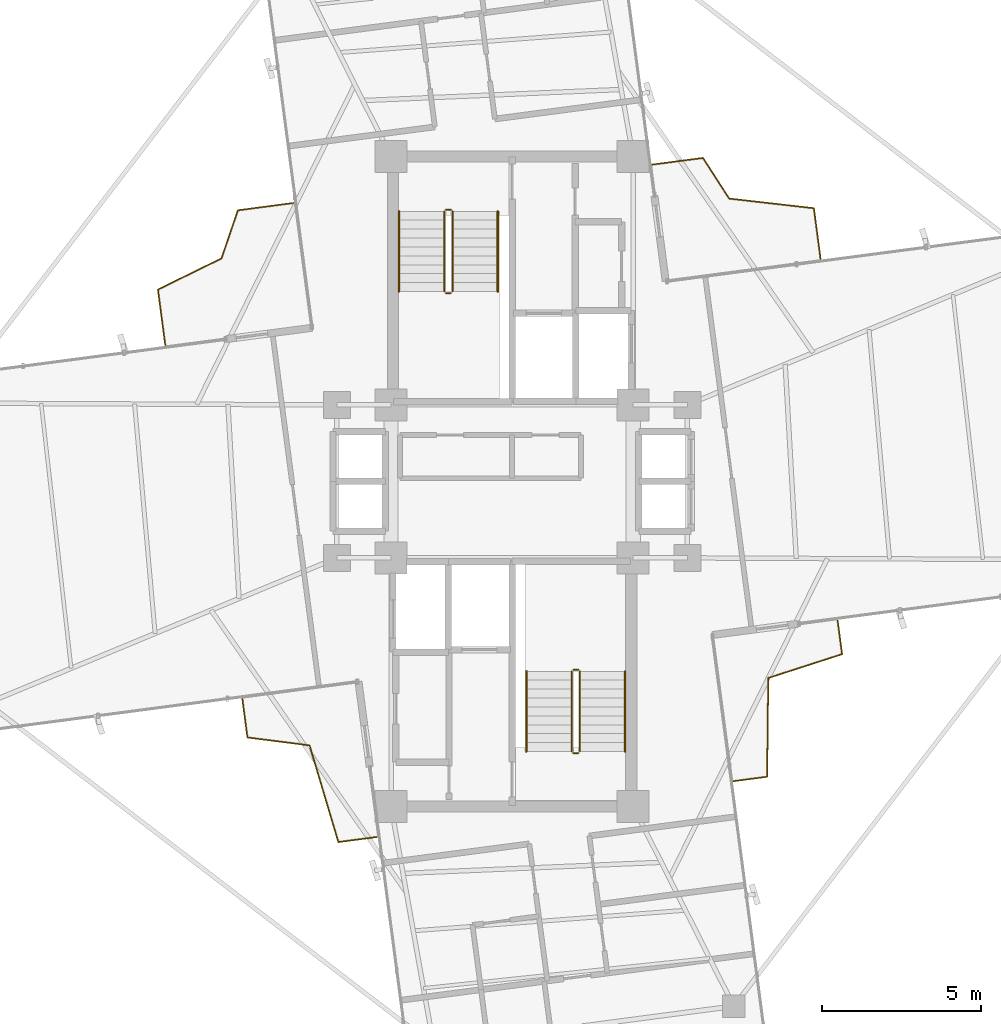
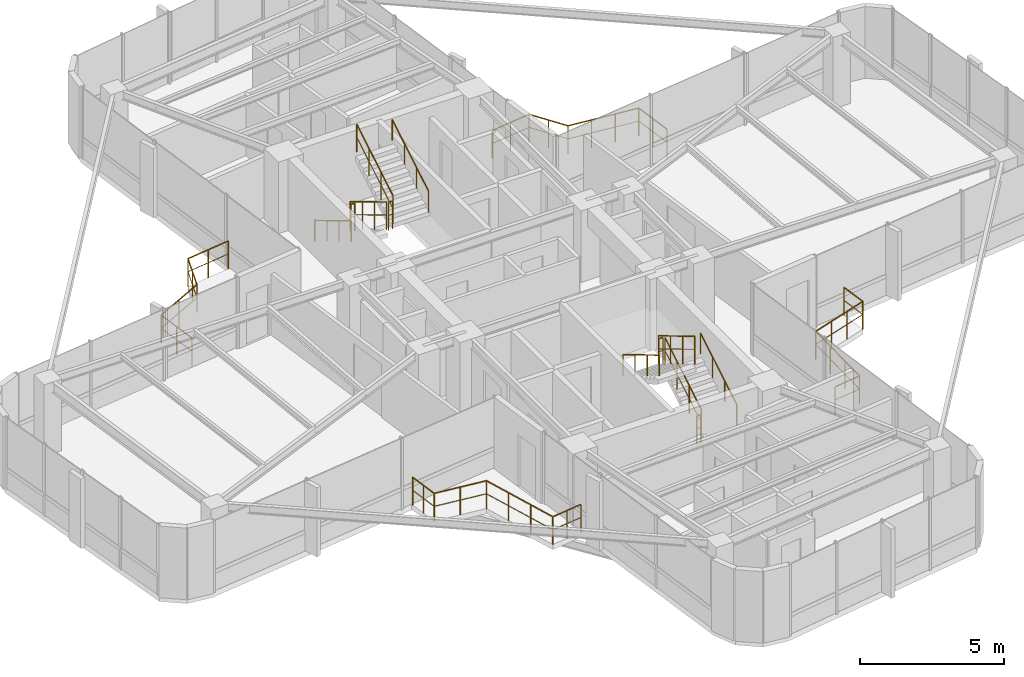
# One storey, part 22 of 22: 16 railings.
"""IFC4 building model written with IfcOpenShell, lengths in metres."""

from ifc_helpers import new_model, si_unit, direction, frame, origin, origin_2d, place, context, subcontext, project, spatial, circle, extrude, material, type_object, element, save


model = new_model("IFC4")

# Units and contexts
model_context = context("Model", 3, precision=1e-05, world=origin(), true_north=direction((0.0, 1.0)))
body_context = subcontext(model_context, "Body", "Model", "MODEL_VIEW")
ifc_project = project(units=[si_unit("LENGTHUNIT", "METRE"), si_unit("AREAUNIT", "SQUARE_METRE"), si_unit("VOLUMEUNIT", "CUBIC_METRE"), si_unit("PLANEANGLEUNIT", "RADIAN"), si_unit("MASSUNIT", "GRAM", prefix="KILO")], contexts=[model_context])

# Site, building, storey
site_placement = place(None, origin())
site = spatial("IfcSite", under=ifc_project, at=site_placement, CompositionType="ELEMENT")
building_placement = place(site_placement, origin())
building = spatial("IfcBuilding", under=site, at=building_placement, Name="Sahyath Konkavel Grand Hotel", CompositionType="ELEMENT")
storey_placement = place(building_placement, frame((0.0, 0.0, 261.25)))
storey = spatial("IfcBuildingStorey", under=building, at=storey_placement, Name="L73", CompositionType="ELEMENT", Elevation=261.25)

# Railings
ifc_material_1 = material(Name="Anodised Bronze Aluminium", Category="aluminium")
railing_type_1 = type_object("IfcRailingType", Name="RLG-BALC-1200", PredefinedType="GUARDRAIL", material=ifc_material_1)
railing_1_placement = place(storey_placement, frame((9.684326171875, 6.98388671875, 0.0)))
element("IfcRailing", 1, at=railing_1_placement, inside=storey, type_object=railing_type_1, Name="L73 Winter-Garden Guard NE", PredefinedType="GUARDRAIL", context=body_context, shape_type="SweptSolid", body=[
    extrude(circle(Radius=0.02392578125, at=origin_2d()), frame((-0.000244140625, 0.001953125, 1.17578125), z_axis=(-0.130521331134, 0.991445501336, 0.0), x_axis=(-0.991445501336, -0.130521331134, 0.0)), (0.0, 0.0, 1.0), 1.602783203125),
    extrude(circle(Radius=0.01416015625, at=origin_2d()), frame((-0.000244140625, 0.001953125, 0.6240234375), z_axis=(-0.130521331134, 0.991445501336, 0.0), x_axis=(-0.991445501336, -0.130521331134, 0.0)), (0.0, 0.0, 1.0), 1.602783203125),
    extrude(circle(Radius=0.02392578125, at=origin_2d()), frame((-0.211669921875, 1.59326171875, 1.17578125), z_axis=(-0.993557041998, 0.113333156208, 0.0), x_axis=(-0.113333156208, -0.993557041998, 0.0)), (0.0, 0.0, 1.0), 2.673583984375),
    extrude(circle(Radius=0.01416015625, at=origin_2d()), frame((-0.211669921875, 1.59326171875, 0.6240234375), z_axis=(-0.993557041998, 0.113333156208, 0.0), x_axis=(-0.113333156208, -0.993557041998, 0.0)), (0.0, 0.0, 1.0), 2.673583984375),
    extrude(circle(Radius=0.02392578125, at=origin_2d()), frame((-2.87109375, 1.898193359375, 1.17578125), z_axis=(-0.541562384374, 0.84066056398, 0.0), x_axis=(-0.84066056398, -0.541562384374, 0.0)), (0.0, 0.0, 1.0), 1.513427734375),
    extrude(circle(Radius=0.01416015625, at=origin_2d()), frame((-2.87109375, 1.898193359375, 0.6240234375), z_axis=(-0.541562384374, 0.84066056398, 0.0), x_axis=(-0.84066056398, -0.541562384374, 0.0)), (0.0, 0.0, 1.0), 1.513427734375),
    extrude(circle(Radius=0.02392578125, at=origin_2d()), frame((-3.69384765625, 3.171875, 1.17578125), z_axis=(-0.991445501336, -0.130521331134, 0.0), x_axis=(0.130521331134, -0.991445501336, 0.0)), (0.0, 0.0, 1.0), 1.602783203125),
    extrude(circle(Radius=0.01416015625, at=origin_2d()), frame((-3.69384765625, 3.171875, 0.6240234375), z_axis=(-0.991445501336, -0.130521331134, 0.0), x_axis=(0.130521331134, -0.991445501336, 0.0)), (0.0, 0.0, 1.0), 1.602783203125),
    extrude(circle(Radius=0.02099609375, at=origin_2d()), origin(), (0.0, 0.0, 1.0), 1.15185546875),
    extrude(circle(Radius=0.02099609375, at=origin_2d()), frame((-0.10498046875, 0.79638671875, 0.0)), (0.0, 0.0, 1.0), 1.15185546875),
    extrude(circle(Radius=0.02099609375, at=origin_2d()), frame((-0.209716796875, 1.593017578125, 0.0)), (0.0, 0.0, 1.0), 1.15185546875),
    extrude(circle(Radius=0.02099609375, at=origin_2d()), frame((-1.096435546875, 1.694091796875, 0.0)), (0.0, 0.0, 1.0), 1.15185546875),
    extrude(circle(Radius=0.02099609375, at=origin_2d()), frame((-1.9833984375, 1.79541015625, 0.0)), (0.0, 0.0, 1.0), 1.15185546875),
    extrude(circle(Radius=0.02099609375, at=origin_2d()), frame((-2.8701171875, 1.896484375, 0.0)), (0.0, 0.0, 1.0), 1.15185546875),
    extrude(circle(Radius=0.02099609375, at=origin_2d()), frame((-3.281005859375, 2.5341796875, 0.0)), (0.0, 0.0, 1.0), 1.15185546875),
    extrude(circle(Radius=0.02099609375, at=origin_2d()), frame((-3.69189453125, 3.172119140625, 0.0)), (0.0, 0.0, 1.0), 1.15185546875),
    extrude(circle(Radius=0.02099609375, at=origin_2d()), frame((-4.48828125, 3.0673828125, 0.0)), (0.0, 0.0, 1.0), 1.15185546875),
    extrude(circle(Radius=0.02099609375, at=origin_2d()), frame((-5.284912109375, 2.96240234375, 0.0)), (0.0, 0.0, 1.0), 1.15185546875),
])
railing_2_placement = place(storey_placement, frame((-6.85986328125, 8.742431640625, 0.0)))
element("IfcRailing", 2, at=railing_2_placement, inside=storey, type_object=railing_type_1, Name="L73 Winter-Garden Guard NW", PredefinedType="GUARDRAIL", context=body_context, shape_type="SweptSolid", body=[
    extrude(circle(Radius=0.02392578125, at=origin_2d()), frame((-0.001953125, -0.000244140625, 1.17578125), z_axis=(-0.991438263737, -0.130576296467, 0.0), x_axis=(0.130576296467, -0.991438263737, 0.0)), (0.0, 0.0, 1.0), 1.759033203125),
    extrude(circle(Radius=0.01416015625, at=origin_2d()), frame((-0.001953125, -0.000244140625, 0.6240234375), z_axis=(-0.991438263737, -0.130576296467, 0.0), x_axis=(0.130576296467, -0.991438263737, 0.0)), (0.0, 0.0, 1.0), 1.759033203125),
    extrude(circle(Radius=0.02392578125, at=origin_2d()), frame((-1.748779296875, -0.232177734375, 1.17578125), z_axis=(-0.323053682556, -0.946380641279, 0.0), x_axis=(0.946380641279, -0.323053682556, 0.0)), (0.0, 0.0, 1.0), 1.5927734375),
    extrude(circle(Radius=0.01416015625, at=origin_2d()), frame((-1.748779296875, -0.232177734375, 0.6240234375), z_axis=(-0.323053682556, -0.946380641279, 0.0), x_axis=(0.946380641279, -0.323053682556, 0.0)), (0.0, 0.0, 1.0), 1.5927734375),
    extrude(circle(Radius=0.02392578125, at=origin_2d()), frame((-2.265625, -1.742431640625, 1.17578125), z_axis=(-0.897916464157, -0.4401659044, 0.0), x_axis=(0.4401659044, -0.897916464157, 0.0)), (0.0, 0.0, 1.0), 2.21728515625),
    extrude(circle(Radius=0.01416015625, at=origin_2d()), frame((-2.265625, -1.742431640625, 0.6240234375), z_axis=(-0.897916464157, -0.4401659044, 0.0), x_axis=(0.4401659044, -0.897916464157, 0.0)), (0.0, 0.0, 1.0), 2.21728515625),
    extrude(circle(Radius=0.02392578125, at=origin_2d()), frame((-4.25830078125, -2.72119140625, 1.17578125), z_axis=(0.130594224877, -0.99143590233, 0.0), x_axis=(0.99143590233, 0.130594224877, 0.0)), (0.0, 0.0, 1.0), 1.7587890625),
    extrude(circle(Radius=0.01416015625, at=origin_2d()), frame((-4.25830078125, -2.72119140625, 0.6240234375), z_axis=(0.130594224877, -0.99143590233, 0.0), x_axis=(0.99143590233, 0.130594224877, 0.0)), (0.0, 0.0, 1.0), 1.7587890625),
    extrude(circle(Radius=0.02099609375, at=origin_2d()), origin(), (0.0, 0.0, 1.0), 1.15185546875),
    extrude(circle(Radius=0.02099609375, at=origin_2d()), frame((-0.8740234375, -0.115234375, 0.0)), (0.0, 0.0, 1.0), 1.15185546875),
    extrude(circle(Radius=0.02099609375, at=origin_2d()), frame((-1.748046875, -0.230224609375, 0.0)), (0.0, 0.0, 1.0), 1.15185546875),
    extrude(circle(Radius=0.02099609375, at=origin_2d()), frame((-2.005859375, -0.98583984375, 0.0)), (0.0, 0.0, 1.0), 1.15185546875),
    extrude(circle(Radius=0.02099609375, at=origin_2d()), frame((-2.263916015625, -1.741455078125, 0.0)), (0.0, 0.0, 1.0), 1.15185546875),
    extrude(circle(Radius=0.02099609375, at=origin_2d()), frame((-3.26123046875, -2.23046875, 0.0)), (0.0, 0.0, 1.0), 1.15185546875),
    extrude(circle(Radius=0.02099609375, at=origin_2d()), frame((-4.258544921875, -2.71923828125, 0.0)), (0.0, 0.0, 1.0), 1.15185546875),
    extrude(circle(Radius=0.02099609375, at=origin_2d()), frame((-4.1435546875, -3.59326171875, 0.0)), (0.0, 0.0, 1.0), 1.15185546875),
    extrude(circle(Radius=0.02099609375, at=origin_2d()), frame((-4.0283203125, -4.467041015625, 0.0)), (0.0, 0.0, 1.0), 1.15185546875),
])
railing_3_placement = place(storey_placement, frame((-8.46875, -6.82373046875, 0.0)))
element("IfcRailing", 3, at=railing_3_placement, inside=storey, type_object=railing_type_1, Name="L73 Winter-Garden Guard SW", PredefinedType="GUARDRAIL", context=body_context, shape_type="SweptSolid", body=[
    extrude(circle(Radius=0.02392578125, at=origin_2d()), frame((0.000244140625, -0.001953125, 1.17578125), z_axis=(0.130506053195, -0.991447512519, 0.0), x_axis=(0.991447512519, 0.130506053195, 0.0)), (0.0, 0.0, 1.0), 1.221435546875),
    extrude(circle(Radius=0.01416015625, at=origin_2d()), frame((0.000244140625, -0.001953125, 0.6240234375), z_axis=(0.130506053195, -0.991447512519, 0.0), x_axis=(0.991447512519, 0.130506053195, 0.0)), (0.0, 0.0, 1.0), 1.221435546875),
    extrude(circle(Radius=0.02392578125, at=origin_2d()), frame((0.161865234375, -1.215087890625, 1.17578125), z_axis=(0.992060549344, -0.125761148353, 0.0), x_axis=(0.125761148353, 0.992060549344, 0.0)), (0.0, 0.0, 1.0), 1.962646484375),
    extrude(circle(Radius=0.01416015625, at=origin_2d()), frame((0.161865234375, -1.215087890625, 0.6240234375), z_axis=(0.992060549344, -0.125761148353, 0.0), x_axis=(0.125761148353, 0.992060549344, 0.0)), (0.0, 0.0, 1.0), 1.962646484375),
    extrude(circle(Radius=0.02392578125, at=origin_2d()), frame((2.111328125, -1.464111328125, 1.17578125), z_axis=(0.285331983431, -0.958428744994, 0.0), x_axis=(0.958428744994, 0.285331983431, 0.0)), (0.0, 0.0, 1.0), 3.16357421875),
    extrude(circle(Radius=0.01416015625, at=origin_2d()), frame((2.111328125, -1.464111328125, 0.6240234375), z_axis=(0.285331983431, -0.958428744994, 0.0), x_axis=(0.958428744994, 0.285331983431, 0.0)), (0.0, 0.0, 1.0), 3.16357421875),
    extrude(circle(Radius=0.02392578125, at=origin_2d()), frame((3.0166015625, -4.497802734375, 1.17578125), z_axis=(0.991447512519, 0.130506053195, 0.0), x_axis=(-0.130506053195, 0.991447512519, 0.0)), (0.0, 0.0, 1.0), 1.221435546875),
    extrude(circle(Radius=0.01416015625, at=origin_2d()), frame((3.0166015625, -4.497802734375, 0.6240234375), z_axis=(0.991447512519, 0.130506053195, 0.0), x_axis=(-0.130506053195, 0.991447512519, 0.0)), (0.0, 0.0, 1.0), 1.221435546875),
    extrude(circle(Radius=0.02099609375, at=origin_2d()), origin(), (0.0, 0.0, 1.0), 1.15185546875),
    extrude(circle(Radius=0.02099609375, at=origin_2d()), frame((0.080078125, -0.607421875, 0.0)), (0.0, 0.0, 1.0), 1.15185546875),
    extrude(circle(Radius=0.02099609375, at=origin_2d()), frame((0.159912109375, -1.21484375, 0.0)), (0.0, 0.0, 1.0), 1.15185546875),
    extrude(circle(Radius=0.02099609375, at=origin_2d()), frame((1.13525390625, -1.33837890625, 0.0)), (0.0, 0.0, 1.0), 1.15185546875),
    extrude(circle(Radius=0.02099609375, at=origin_2d()), frame((2.11083984375, -1.462158203125, 0.0)), (0.0, 0.0, 1.0), 1.15185546875),
    extrude(circle(Radius=0.02099609375, at=origin_2d()), frame((2.412109375, -2.47412109375, 0.0)), (0.0, 0.0, 1.0), 1.15185546875),
    extrude(circle(Radius=0.02099609375, at=origin_2d()), frame((2.71337890625, -3.486083984375, 0.0)), (0.0, 0.0, 1.0), 1.15185546875),
    extrude(circle(Radius=0.02099609375, at=origin_2d()), frame((3.0146484375, -4.498046875, 0.0)), (0.0, 0.0, 1.0), 1.15185546875),
    extrude(circle(Radius=0.02099609375, at=origin_2d()), frame((3.6220703125, -4.41796875, 0.0)), (0.0, 0.0, 1.0), 1.15185546875),
    extrude(circle(Radius=0.02099609375, at=origin_2d()), frame((4.2294921875, -4.338134765625, 0.0)), (0.0, 0.0, 1.0), 1.15185546875),
])
railing_4_placement = place(storey_placement, frame((6.94775390625, -9.41064453125, 0.0)))
element("IfcRailing", 4, at=railing_4_placement, inside=storey, type_object=railing_type_1, Name="L73 Winter-Garden Guard SE", PredefinedType="GUARDRAIL", context=body_context, shape_type="SweptSolid", body=[
    extrude(circle(Radius=0.02392578125, at=origin_2d()), frame((0.001953125, 0.000244140625, 1.17578125), z_axis=(0.991430180557, 0.130637655674, 0.0), x_axis=(-0.130637655674, 0.991430180557, 0.0)), (0.0, 0.0, 1.0), 1.06494140625),
    extrude(circle(Radius=0.01416015625, at=origin_2d()), frame((0.001953125, 0.000244140625, 0.6240234375), z_axis=(0.991430180557, 0.130637655674, 0.0), x_axis=(-0.130637655674, 0.991430180557, 0.0)), (0.0, 0.0, 1.0), 1.06494140625),
    extrude(circle(Radius=0.02392578125, at=origin_2d()), frame((1.059814453125, 0.1416015625, 1.17578125), z_axis=(0.011183044847, 0.999937467799, 0.0), x_axis=(-0.999937467799, 0.011183044847, 0.0)), (0.0, 0.0, 1.0), 3.095947265625),
    extrude(circle(Radius=0.01416015625, at=origin_2d()), frame((1.059814453125, 0.1416015625, 0.6240234375), z_axis=(0.011183044847, 0.999937467799, 0.0), x_axis=(-0.999937467799, 0.011183044847, 0.0)), (0.0, 0.0, 1.0), 3.095947265625),
    extrude(circle(Radius=0.02392578125, at=origin_2d()), frame((1.096435546875, 3.240234375, 1.17578125), z_axis=(0.951648123268, 0.307190249652, 0.0), x_axis=(-0.307190249652, 0.951648123268, 0.0)), (0.0, 0.0, 1.0), 2.43115234375),
    extrude(circle(Radius=0.01416015625, at=origin_2d()), frame((1.096435546875, 3.240234375, 0.6240234375), z_axis=(0.951648123268, 0.307190249652, 0.0), x_axis=(-0.307190249652, 0.951648123268, 0.0)), (0.0, 0.0, 1.0), 2.43115234375),
    extrude(circle(Radius=0.02392578125, at=origin_2d()), frame((3.41162109375, 3.989501953125, 1.17578125), z_axis=(-0.130637655674, 0.991430180557, 0.0), x_axis=(-0.991430180557, -0.130637655674, 0.0)), (0.0, 0.0, 1.0), 1.06494140625),
    extrude(circle(Radius=0.01416015625, at=origin_2d()), frame((3.41162109375, 3.989501953125, 0.6240234375), z_axis=(-0.130637655674, 0.991430180557, 0.0), x_axis=(-0.991430180557, -0.130637655674, 0.0)), (0.0, 0.0, 1.0), 1.06494140625),
    extrude(circle(Radius=0.02099609375, at=origin_2d()), origin(), (0.0, 0.0, 1.0), 1.15185546875),
    extrude(circle(Radius=0.02099609375, at=origin_2d()), frame((1.059814453125, 0.1396484375, 0.0)), (0.0, 0.0, 1.0), 1.15185546875),
    extrude(circle(Radius=0.02099609375, at=origin_2d()), frame((1.0712890625, 1.1728515625, 0.0)), (0.0, 0.0, 1.0), 1.15185546875),
    extrude(circle(Radius=0.02099609375, at=origin_2d()), frame((1.0830078125, 2.206298828125, 0.0)), (0.0, 0.0, 1.0), 1.15185546875),
    extrude(circle(Radius=0.02099609375, at=origin_2d()), frame((1.094482421875, 3.239501953125, 0.0)), (0.0, 0.0, 1.0), 1.15185546875),
    extrude(circle(Radius=0.02099609375, at=origin_2d()), frame((1.866943359375, 3.48876953125, 0.0)), (0.0, 0.0, 1.0), 1.15185546875),
    extrude(circle(Radius=0.02099609375, at=origin_2d()), frame((2.639404296875, 3.73828125, 0.0)), (0.0, 0.0, 1.0), 1.15185546875),
    extrude(circle(Radius=0.02099609375, at=origin_2d()), frame((3.411865234375, 3.987548828125, 0.0)), (0.0, 0.0, 1.0), 1.15185546875),
    extrude(circle(Radius=0.02099609375, at=origin_2d()), frame((3.272216796875, 5.04736328125, 0.0)), (0.0, 0.0, 1.0), 1.15185546875),
])
ifc_material_2 = material(Name="Steel E350", Category="steel")
railing_type_2 = type_object("IfcRailingType", Name="RLG-STAIR-GRD", PredefinedType="GUARDRAIL", material=ifc_material_2)
railing_5_placement = place(storey_placement, frame((-2.1298828125, 8.47998046875, 0.16748046875)))
element("IfcRailing", 5, at=railing_5_placement, inside=storey, type_object=railing_type_2, Name="L73 ST-1 stair guard 1", PredefinedType="GUARDRAIL", context=body_context, shape_type="SweptSolid", body=[
    extrude(circle(Radius=0.02392578125, at=origin_2d()), frame((0.0, -0.001708984375, 1.177001953125), z_axis=(0.0, -0.858159760407, 0.513382728203), x_axis=(1.0, 0.0, 0.0)), (0.0, 0.0, 1.0), 2.9326171875),
    extrude(circle(Radius=0.01416015625, at=origin_2d()), frame((0.0, -0.001708984375, 0.625), z_axis=(0.0, -0.858159760407, 0.513382728203), x_axis=(1.0, 0.0, 0.0)), (0.0, 0.0, 1.0), 2.9326171875),
    extrude(circle(Radius=0.02099609375, at=origin_2d()), origin(), (0.0, 0.0, 1.0), 1.15185546875),
    extrude(circle(Radius=0.02099609375, at=origin_2d()), frame((0.0, -0.840087890625, 0.50244140625)), (0.0, 0.0, 1.0), 1.15185546875),
    extrude(circle(Radius=0.02099609375, at=origin_2d()), frame((0.0, -1.679931640625, 1.005126953125)), (0.0, 0.0, 1.0), 1.15185546875),
    extrude(circle(Radius=0.02099609375, at=origin_2d()), frame((0.0, -2.52001953125, 1.507568359375)), (0.0, 0.0, 1.0), 1.15185546875),
])
railing_6_placement = place(storey_placement, frame((-2.080078125, 5.909912109375, 1.675048828125)))
element("IfcRailing", 6, at=railing_6_placement, inside=storey, type_object=railing_type_2, Name="L73 ST-1 stair guard 2", PredefinedType="GUARDRAIL", context=body_context, shape_type="SweptSolid", body=[
    extrude(circle(Radius=0.02392578125, at=origin_2d()), frame((0.001953125, 0.0, 1.17578125), z_axis=(1.0, 0.0, 0.0), x_axis=(0.0, 1.0, 0.0)), (0.0, 0.0, 1.0), 0.15625),
    extrude(circle(Radius=0.01416015625, at=origin_2d()), frame((0.001953125, 0.0, 0.6240234375), z_axis=(1.0, 0.0, 0.0), x_axis=(0.0, 1.0, 0.0)), (0.0, 0.0, 1.0), 0.15625),
    extrude(circle(Radius=0.02099609375, at=origin_2d()), origin(), (0.0, 0.0, 1.0), 1.15185546875),
    extrude(circle(Radius=0.02099609375, at=origin_2d()), frame((0.16015625, 0.0, 0.0)), (0.0, 0.0, 1.0), 1.15185546875),
])
railing_7_placement = place(storey_placement, frame((-1.8701171875, 5.9599609375, 1.842529296875)))
element("IfcRailing", 7, at=railing_7_placement, inside=storey, type_object=railing_type_2, Name="L73 ST-1 stair guard 3", PredefinedType="GUARDRAIL", context=body_context, shape_type="SweptSolid", body=[
    extrude(circle(Radius=0.02392578125, at=origin_2d()), frame((0.0, 0.001708984375, 1.177001953125), z_axis=(0.0, 0.858159760407, 0.513382728203), x_axis=(-1.0, 0.0, 0.0)), (0.0, 0.0, 1.0), 2.9326171875),
    extrude(circle(Radius=0.01416015625, at=origin_2d()), frame((0.0, 0.001708984375, 0.625), z_axis=(0.0, 0.858159760407, 0.513382728203), x_axis=(-1.0, 0.0, 0.0)), (0.0, 0.0, 1.0), 2.9326171875),
    extrude(circle(Radius=0.02099609375, at=origin_2d()), origin(), (0.0, 0.0, 1.0), 1.15185546875),
    extrude(circle(Radius=0.02099609375, at=origin_2d()), frame((0.0, 0.840087890625, 0.50244140625)), (0.0, 0.0, 1.0), 1.15185546875),
    extrude(circle(Radius=0.02099609375, at=origin_2d()), frame((0.0, 1.679931640625, 1.005126953125)), (0.0, 0.0, 1.0), 1.15185546875),
    extrude(circle(Radius=0.02099609375, at=origin_2d()), frame((0.0, 2.52001953125, 1.507568359375)), (0.0, 0.0, 1.0), 1.15185546875),
])
railing_8_placement = place(storey_placement, frame((-2.080078125, 8.530029296875, 0.0)))
element("IfcRailing", 8, at=railing_8_placement, inside=storey, type_object=railing_type_2, Name="L73 ST-1 stair guard 4", PredefinedType="GUARDRAIL", context=body_context, shape_type="SweptSolid", body=[
    extrude(circle(Radius=0.02392578125, at=origin_2d()), frame((0.001953125, 0.0, 1.17578125), z_axis=(1.0, 0.0, 0.0), x_axis=(0.0, 1.0, 0.0)), (0.0, 0.0, 1.0), 0.15625),
    extrude(circle(Radius=0.01416015625, at=origin_2d()), frame((0.001953125, 0.0, 0.6240234375), z_axis=(1.0, 0.0, 0.0), x_axis=(0.0, 1.0, 0.0)), (0.0, 0.0, 1.0), 0.15625),
    extrude(circle(Radius=0.02099609375, at=origin_2d()), origin(), (0.0, 0.0, 1.0), 1.15185546875),
    extrude(circle(Radius=0.02099609375, at=origin_2d()), frame((0.16015625, 0.0, 0.0)), (0.0, 0.0, 1.0), 1.15185546875),
])
railing_9_placement = place(storey_placement, frame((2.1298828125, -8.47998046875, 0.16748046875)))
element("IfcRailing", 9, at=railing_9_placement, inside=storey, type_object=railing_type_2, Name="L73 ST-2 stair guard 1", PredefinedType="GUARDRAIL", context=body_context, shape_type="SweptSolid", body=[
    extrude(circle(Radius=0.02392578125, at=origin_2d()), frame((0.0, 0.001708984375, 1.177001953125), z_axis=(0.0, 0.858159760407, 0.513382728203), x_axis=(-1.0, 0.0, 0.0)), (0.0, 0.0, 1.0), 2.9326171875),
    extrude(circle(Radius=0.01416015625, at=origin_2d()), frame((0.0, 0.001708984375, 0.625), z_axis=(0.0, 0.858159760407, 0.513382728203), x_axis=(-1.0, 0.0, 0.0)), (0.0, 0.0, 1.0), 2.9326171875),
    extrude(circle(Radius=0.02099609375, at=origin_2d()), origin(), (0.0, 0.0, 1.0), 1.15185546875),
    extrude(circle(Radius=0.02099609375, at=origin_2d()), frame((0.0, 0.840087890625, 0.50244140625)), (0.0, 0.0, 1.0), 1.15185546875),
    extrude(circle(Radius=0.02099609375, at=origin_2d()), frame((0.0, 1.679931640625, 1.005126953125)), (0.0, 0.0, 1.0), 1.15185546875),
    extrude(circle(Radius=0.02099609375, at=origin_2d()), frame((0.0, 2.52001953125, 1.507568359375)), (0.0, 0.0, 1.0), 1.15185546875),
])
railing_10_placement = place(storey_placement, frame((2.080078125, -5.909912109375, 1.675048828125)))
element("IfcRailing", 10, at=railing_10_placement, inside=storey, type_object=railing_type_2, Name="L73 ST-2 stair guard 2", PredefinedType="GUARDRAIL", context=body_context, shape_type="SweptSolid", body=[
    extrude(circle(Radius=0.02392578125, at=origin_2d()), frame((-0.001953125, 0.0, 1.17578125), z_axis=(-1.0, 0.0, 0.0), x_axis=(0.0, -1.0, 0.0)), (0.0, 0.0, 1.0), 0.15625),
    extrude(circle(Radius=0.01416015625, at=origin_2d()), frame((-0.001953125, 0.0, 0.6240234375), z_axis=(-1.0, 0.0, 0.0), x_axis=(0.0, -1.0, 0.0)), (0.0, 0.0, 1.0), 0.15625),
    extrude(circle(Radius=0.02099609375, at=origin_2d()), origin(), (0.0, 0.0, 1.0), 1.15185546875),
    extrude(circle(Radius=0.02099609375, at=origin_2d()), frame((-0.16015625, 0.0, 0.0)), (0.0, 0.0, 1.0), 1.15185546875),
])
railing_11_placement = place(storey_placement, frame((1.8701171875, -5.9599609375, 1.842529296875)))
element("IfcRailing", 11, at=railing_11_placement, inside=storey, type_object=railing_type_2, Name="L73 ST-2 stair guard 3", PredefinedType="GUARDRAIL", context=body_context, shape_type="SweptSolid", body=[
    extrude(circle(Radius=0.02392578125, at=origin_2d()), frame((0.0, -0.001708984375, 1.177001953125), z_axis=(0.0, -0.858159760407, 0.513382728203), x_axis=(1.0, 0.0, 0.0)), (0.0, 0.0, 1.0), 2.9326171875),
    extrude(circle(Radius=0.01416015625, at=origin_2d()), frame((0.0, -0.001708984375, 0.625), z_axis=(0.0, -0.858159760407, 0.513382728203), x_axis=(1.0, 0.0, 0.0)), (0.0, 0.0, 1.0), 2.9326171875),
    extrude(circle(Radius=0.02099609375, at=origin_2d()), origin(), (0.0, 0.0, 1.0), 1.15185546875),
    extrude(circle(Radius=0.02099609375, at=origin_2d()), frame((0.0, -0.840087890625, 0.50244140625)), (0.0, 0.0, 1.0), 1.15185546875),
    extrude(circle(Radius=0.02099609375, at=origin_2d()), frame((0.0, -1.679931640625, 1.005126953125)), (0.0, 0.0, 1.0), 1.15185546875),
    extrude(circle(Radius=0.02099609375, at=origin_2d()), frame((0.0, -2.52001953125, 1.507568359375)), (0.0, 0.0, 1.0), 1.15185546875),
])
railing_12_placement = place(storey_placement, frame((2.080078125, -8.530029296875, 0.0)))
element("IfcRailing", 12, at=railing_12_placement, inside=storey, type_object=railing_type_2, Name="L73 ST-2 stair guard 4", PredefinedType="GUARDRAIL", context=body_context, shape_type="SweptSolid", body=[
    extrude(circle(Radius=0.02392578125, at=origin_2d()), frame((-0.001953125, 0.0, 1.17578125), z_axis=(-1.0, 0.0, 0.0), x_axis=(0.0, -1.0, 0.0)), (0.0, 0.0, 1.0), 0.15625),
    extrude(circle(Radius=0.01416015625, at=origin_2d()), frame((-0.001953125, 0.0, 0.6240234375), z_axis=(-1.0, 0.0, 0.0), x_axis=(0.0, -1.0, 0.0)), (0.0, 0.0, 1.0), 0.15625),
    extrude(circle(Radius=0.02099609375, at=origin_2d()), origin(), (0.0, 0.0, 1.0), 1.15185546875),
    extrude(circle(Radius=0.02099609375, at=origin_2d()), frame((-0.16015625, 0.0, 0.0)), (0.0, 0.0, 1.0), 1.15185546875),
])
railing_type_3 = type_object("IfcRailingType", Name="RLG-STAIR-HND", PredefinedType="HANDRAIL", material=ifc_material_1)
railing_13_placement = place(storey_placement, frame((-3.550048828125, 8.47998046875, 0.16748046875)))
element("IfcRailing", 13, at=railing_13_placement, inside=storey, type_object=railing_type_3, Name="L73 ST-1 stair handrail 1", PredefinedType="HANDRAIL", context=body_context, shape_type="SweptSolid", body=[
    extrude(circle(Radius=0.02392578125, at=origin_2d()), frame((0.0, -0.001708984375, 0.876953125), z_axis=(0.0, -0.858159760407, 0.513382728203), x_axis=(1.0, 0.0, 0.0)), (0.0, 0.0, 1.0), 2.9326171875),
    extrude(circle(Radius=0.02099609375, at=origin_2d()), origin(), (0.0, 0.0, 1.0), 0.851806640625),
    extrude(circle(Radius=0.02099609375, at=origin_2d()), frame((0.0, -0.840087890625, 0.50244140625)), (0.0, 0.0, 1.0), 0.851806640625),
    extrude(circle(Radius=0.02099609375, at=origin_2d()), frame((0.0, -1.679931640625, 1.005126953125)), (0.0, 0.0, 1.0), 0.851806640625),
    extrude(circle(Radius=0.02099609375, at=origin_2d()), frame((0.0, -2.52001953125, 1.507568359375)), (0.0, 0.0, 1.0), 0.851806640625),
])
for number, where, name in (
    (14, (-0.449951171875, 5.9599609375, 1.842529296875), "L73 ST-1 stair handrail 2"),
    (15, (3.550048828125, -8.47998046875, 0.16748046875), "L73 ST-2 stair handrail 1"),
):
    element("IfcRailing", number, at=place(storey_placement, frame(where)), inside=storey, type_object=railing_type_3, Name=name, PredefinedType="HANDRAIL", context=body_context, shape_type="SweptSolid", body=[
        extrude(circle(Radius=0.02392578125, at=origin_2d()), frame((0.0, 0.001708984375, 0.876953125), z_axis=(0.0, 0.858159760407, 0.513382728203), x_axis=(-1.0, 0.0, 0.0)), (0.0, 0.0, 1.0), 2.9326171875),
        extrude(circle(Radius=0.02099609375, at=origin_2d()), origin(), (0.0, 0.0, 1.0), 0.851806640625),
        extrude(circle(Radius=0.02099609375, at=origin_2d()), frame((0.0, 0.840087890625, 0.50244140625)), (0.0, 0.0, 1.0), 0.851806640625),
        extrude(circle(Radius=0.02099609375, at=origin_2d()), frame((0.0, 1.679931640625, 1.005126953125)), (0.0, 0.0, 1.0), 0.851806640625),
        extrude(circle(Radius=0.02099609375, at=origin_2d()), frame((0.0, 2.52001953125, 1.507568359375)), (0.0, 0.0, 1.0), 0.851806640625),
    ])
railing_14_placement = place(storey_placement, frame((0.449951171875, -5.9599609375, 1.842529296875)))
element("IfcRailing", 16, at=railing_14_placement, inside=storey, type_object=railing_type_3, Name="L73 ST-2 stair handrail 2", PredefinedType="HANDRAIL", context=body_context, shape_type="SweptSolid", body=[
    extrude(circle(Radius=0.02392578125, at=origin_2d()), frame((0.0, -0.001708984375, 0.876953125), z_axis=(0.0, -0.858159760407, 0.513382728203), x_axis=(1.0, 0.0, 0.0)), (0.0, 0.0, 1.0), 2.9326171875),
    extrude(circle(Radius=0.02099609375, at=origin_2d()), origin(), (0.0, 0.0, 1.0), 0.851806640625),
    extrude(circle(Radius=0.02099609375, at=origin_2d()), frame((0.0, -0.840087890625, 0.50244140625)), (0.0, 0.0, 1.0), 0.851806640625),
    extrude(circle(Radius=0.02099609375, at=origin_2d()), frame((0.0, -1.679931640625, 1.005126953125)), (0.0, 0.0, 1.0), 0.851806640625),
    extrude(circle(Radius=0.02099609375, at=origin_2d()), frame((0.0, -2.52001953125, 1.507568359375)), (0.0, 0.0, 1.0), 0.851806640625),
])

save(model, "model.ifc")
